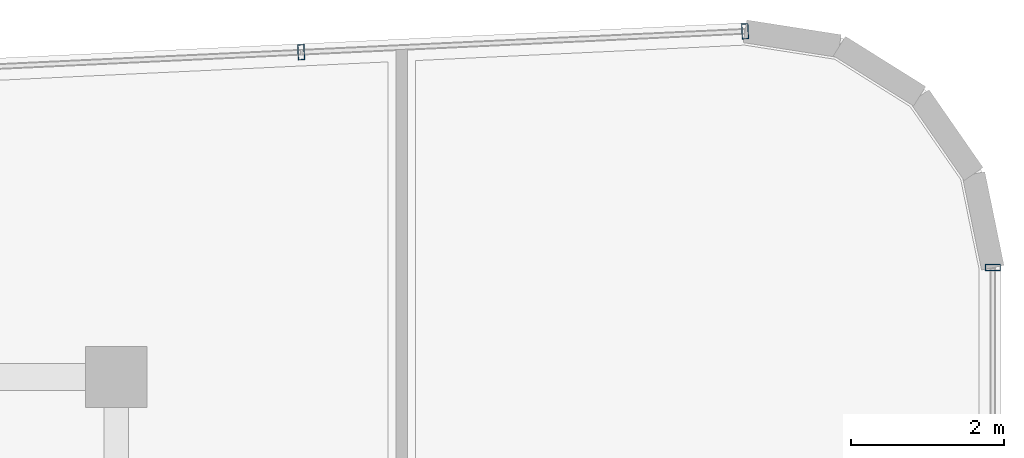
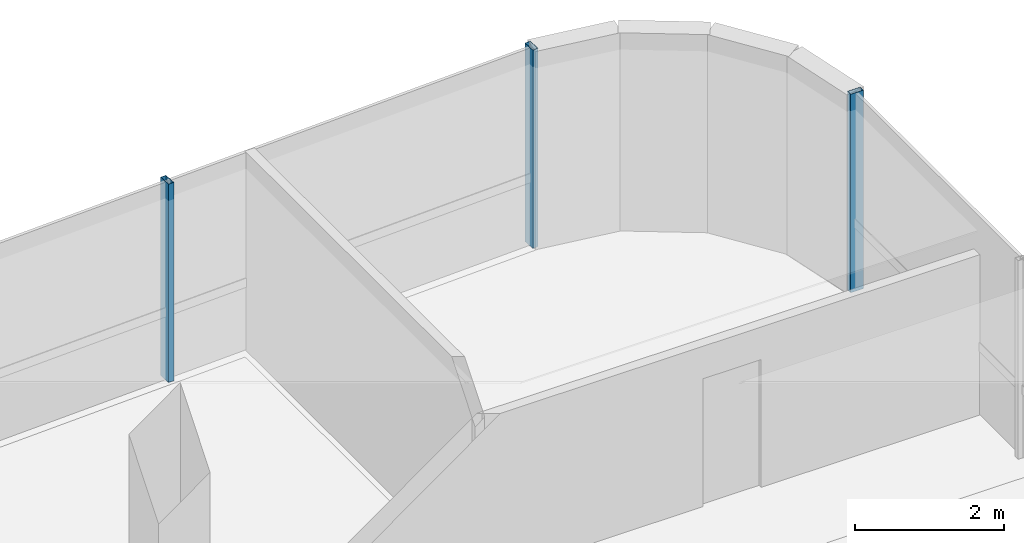
# One storey, part 14 of 21: 3 members, 2 elements without a shape of their own.
"""IFC4 building model written with IfcOpenShell, lengths in metres."""

from ifc_helpers import new_model, si_unit, direction, frame, origin, origin_2d, place, context, subcontext, project, spatial, hollow_rectangle, extrude, source, transform, mapped, material, material_profile, profile_set, type_object, element, aggregate, save


model = new_model("IFC4")

# Units and contexts
model_context = context("Model", 3, precision=1e-05, world=origin(), true_north=direction((0.0, 1.0)))
body_context = subcontext(model_context, "Body", "Model", "MODEL_VIEW")
ifc_project = project(units=[si_unit("LENGTHUNIT", "METRE"), si_unit("AREAUNIT", "SQUARE_METRE"), si_unit("VOLUMEUNIT", "CUBIC_METRE"), si_unit("PLANEANGLEUNIT", "RADIAN"), si_unit("MASSUNIT", "GRAM", prefix="KILO")], contexts=[model_context])

# Site, building, storey
site_placement = place(None, origin())
site = spatial("IfcSite", under=ifc_project, at=site_placement, CompositionType="ELEMENT")
building_placement = place(site_placement, origin())
building = spatial("IfcBuilding", under=site, at=building_placement, Name="Valdorenza Pilgrim Sanctuary Tower", CompositionType="ELEMENT")
storey_placement = place(building_placement, frame((0.0, 0.0, 254.5)))
storey = spatial("IfcBuildingStorey", under=building, at=storey_placement, Name="L66", CompositionType="ELEMENT", Elevation=254.5)

# Curtain wall, members
ifc_material_1 = material(Name="Curtain-wall IGU glazing", Category="glass")
curtain_wall_type = type_object("IfcCurtainWallType", Name="CW-SYS-02", PredefinedType="NOTDEFINED", material=ifc_material_1)
curtain_wall_1_placement = place(storey_placement, origin())
curtain_wall_1 = element("IfcCurtainWall", 1, at=curtain_wall_1_placement, inside=storey, type_object=curtain_wall_type, Name="L66 Curtain Wall CW-L66-1-6", PredefinedType="NOTDEFINED")
ifc_material_2 = material(Name="Anodised aluminium AW-6060", Category="aluminium")
ifc_material_profile = material_profile(ifc_material_2, hollow_rectangle(XDim=0.0849609375, YDim=0.199951171875, WallThickness=0.0048828125, at=origin_2d()), Name="ALU-M 200x85x5")
ifc_profile_set = profile_set([ifc_material_profile], Name="Anodised aluminium AW-6060")
member_type = type_object("IfcMemberType", Name="CW-MUL-02", PredefinedType="MULLION", material=ifc_profile_set)
shared_shape = source(origin(), body_context, "Body", "SweptSolid", [
    extrude(hollow_rectangle(XDim=0.0849609375, YDim=0.199951171875, WallThickness=0.0048828125, at=origin_2d()), origin(), (0.0, 0.0, 1.0), 3.260009765625),
])
member_1_placement = place(storey_placement, frame((-9.976318359375, 19.057373046875, 0.0), z_axis=(0.0, 0.0, 1.0), x_axis=(0.998890696972, 0.047089016785, 0.0)))
member_1 = element("IfcMember", 2, at=member_1_placement, type_object=member_type, Name="CW-L66-1-6 Mullion 4", PredefinedType="MULLION", context=body_context, shape_type="MappedRepresentation", body=[
    mapped(shared_shape, transform((0.0, 0.0, 0.0), x_axis=(1.0, 0.0, 0.0), y_axis=(0.0, 1.0, 0.0), z_axis=(0.0, 0.0, 1.0), scale=1.0)),
])
member_2_placement = place(storey_placement, frame((-4.15673828125, 19.331787109375, 0.0), z_axis=(0.0, 0.0, 1.0), x_axis=(0.998890696972, 0.047089016785, 0.0)))
member_2 = element("IfcMember", 3, at=member_2_placement, type_object=member_type, Name="CW-L66-1-6 Mullion 5", PredefinedType="MULLION", context=body_context, shape_type="MappedRepresentation", body=[
    mapped(shared_shape, transform((0.0, 0.0, 0.0), x_axis=(1.0, 0.0, 0.0), y_axis=(0.0, 1.0, 0.0), z_axis=(0.0, 0.0, 1.0), scale=1.0)),
])
aggregate(curtain_wall_1, [member_1, member_2])

# Curtain wall, member
curtain_wall_2_placement = place(storey_placement, origin())
curtain_wall_2 = element("IfcCurtainWall", 4, at=curtain_wall_2_placement, inside=storey, type_object=curtain_wall_type, Name="L66 Curtain Wall CW-L66-1-11", PredefinedType="NOTDEFINED")
member_3_placement = place(storey_placement, frame((-0.909912109375, 16.234375, 0.0), z_axis=(0.0, 0.0, 1.0), x_axis=(0.0, -1.0, 0.0)))
member_3 = element("IfcMember", 5, at=member_3_placement, type_object=member_type, Name="CW-L66-1-11 Mullion 1", PredefinedType="MULLION", context=body_context, shape_type="MappedRepresentation", body=[
    mapped(shared_shape, transform((0.0, 0.0, 0.0), x_axis=(1.0, 0.0, 0.0), y_axis=(0.0, 1.0, 0.0), z_axis=(0.0, 0.0, 1.0), scale=1.0)),
])
aggregate(curtain_wall_2, [member_3])

save(model, "model.ifc")
